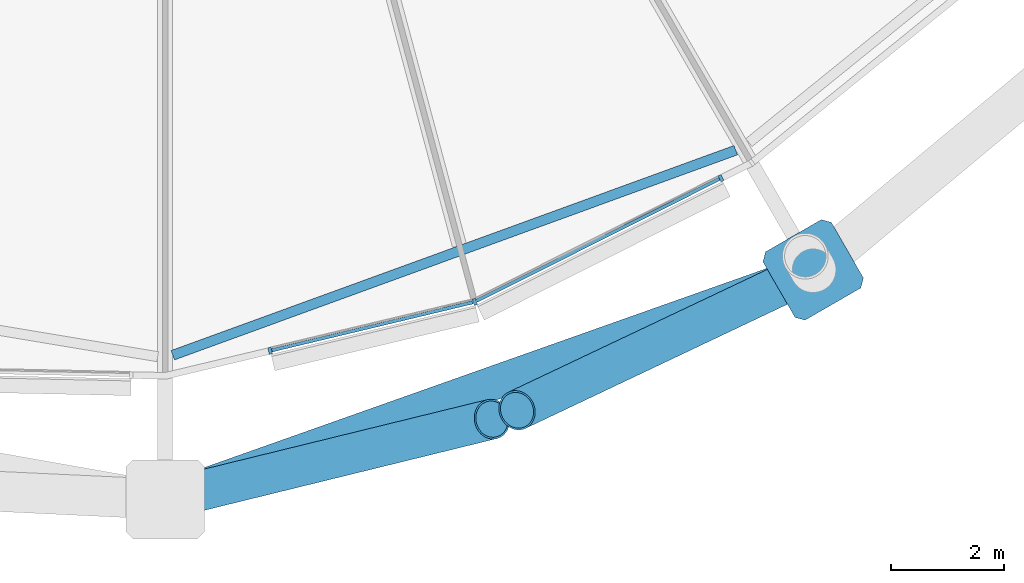
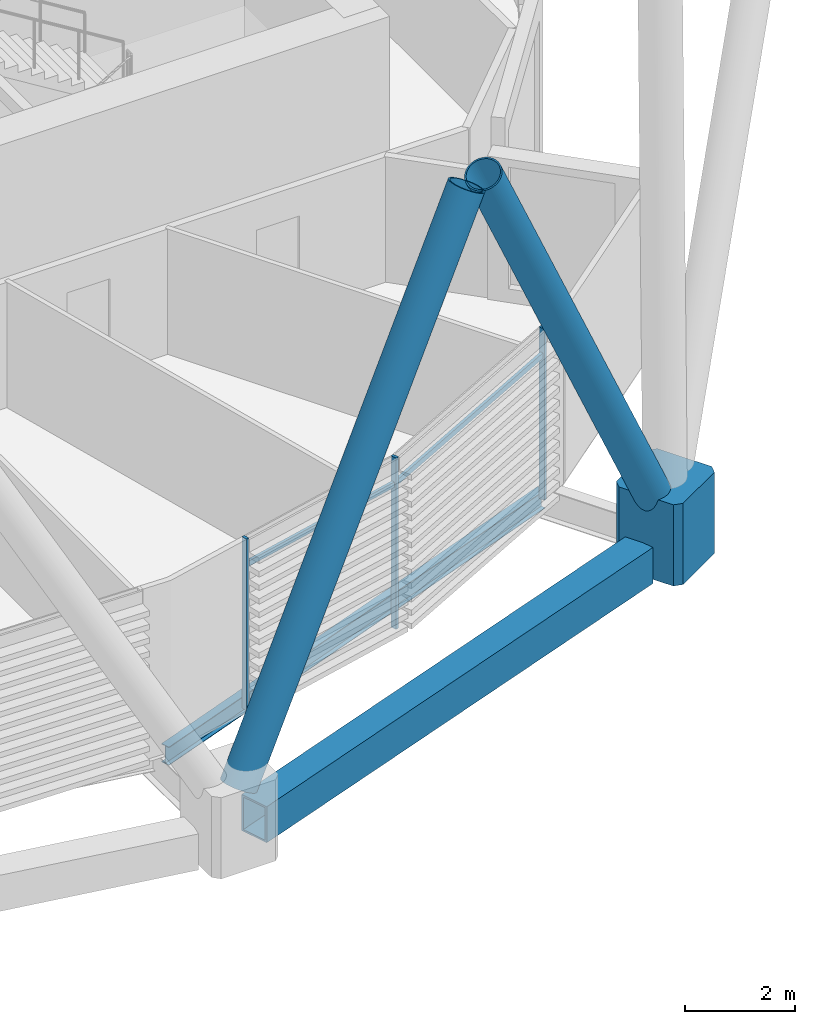
# One storey, part 17 of 39: 8 members, 2 beams, 1 element without a shape of its own.
"""IFC4 building model written with IfcOpenShell, lengths in metres."""

from ifc_helpers import new_model, si_unit, direction, frame, origin, origin_2d, place, context, subcontext, project, spatial, polyline, rectangle, hollow_rectangle, hollow_circle, i_section, outline, extrude, material, material_profile, profile_set, type_object, element, aggregate, save


model = new_model("IFC4")

# Units and contexts
model_context = context("Model", 3, precision=1e-05, world=origin(), true_north=direction((0.0, 1.0)))
body_context = subcontext(model_context, "Body", "Model", "MODEL_VIEW")
ifc_project = project(units=[si_unit("LENGTHUNIT", "METRE"), si_unit("AREAUNIT", "SQUARE_METRE"), si_unit("VOLUMEUNIT", "CUBIC_METRE"), si_unit("PLANEANGLEUNIT", "RADIAN"), si_unit("MASSUNIT", "GRAM", prefix="KILO")], contexts=[model_context])

# Site, building, storey
site_placement = place(None, origin())
site = spatial("IfcSite", under=ifc_project, at=site_placement, CompositionType="ELEMENT")
building_placement = place(site_placement, origin())
building = spatial("IfcBuilding", under=site, at=building_placement, Name="Rimbun Link Towers", CompositionType="ELEMENT")
storey_placement = place(building_placement, frame((0.0, 0.0, 115.800048828125)))
storey = spatial("IfcBuildingStorey", under=building, at=storey_placement, Name="L28", CompositionType="ELEMENT", Elevation=115.800048828125)

# Curtain wall, members
ifc_material_1 = material(Name="Aluminium 6063-T6 and low-iron glass", Category="aluminium")
curtain_wall_type = type_object("IfcCurtainWallType", Name="CW1-Z2 unitised vision wall (zone 2)", PredefinedType="NOTDEFINED", material=ifc_material_1)
curtain_wall_placement = place(storey_placement, origin())
curtain_wall = element("IfcCurtainWall", 1, at=curtain_wall_placement, inside=storey, type_object=curtain_wall_type, Name="CW1 L28 T2", PredefinedType="NOTDEFINED")
ifc_material_2 = material(Name="Aluminium 6063-T6", Category="aluminium")
ifc_material_profile_1 = material_profile(ifc_material_2, rectangle(XDim=0.1201171875, YDim=0.06005859375, at=origin_2d()), Name="MULLION 60X120")
ifc_profile_set_1 = profile_set([ifc_material_profile_1], Name="Aluminium 6063-T6")
member_type_1 = type_object("IfcMemberType", Name="CW1 mullion 60X120", PredefinedType="MULLION", material=ifc_profile_set_1)
member_1_placement = place(storey_placement, frame((37.24267578125, -20.47802734375, 0.0), z_axis=(0.0, 0.0, 1.0), x_axis=(0.342974549868, -0.939344696127, 0.0)))
member_1 = element("IfcMember", 2, at=member_1_placement, type_object=member_type_1, Name="CW1 mullion", PredefinedType="MULLION", context=body_context, shape_type="SweptSolid", body=[
    extrude(rectangle(XDim=0.1201171875, YDim=0.06005859375, at=origin_2d()), origin(), (0.0, 0.0, 1.0), 3.800048828125),
])
member_2_placement = place(storey_placement, frame((33.61181640625, -21.3466796875, 0.0), z_axis=(0.0, 0.0, 1.0), x_axis=(0.232603182737, -0.972571724543, 0.0)))
member_2 = element("IfcMember", 3, at=member_2_placement, type_object=member_type_1, Name="CW1 mullion", PredefinedType="MULLION", context=body_context, shape_type="SweptSolid", body=[
    extrude(rectangle(XDim=0.1201171875, YDim=0.06005859375, at=origin_2d()), origin(), (0.0, 0.0, 1.0), 3.800048828125),
])
member_3_placement = place(storey_placement, frame((41.61083984375, -18.28466796875, 0.0), z_axis=(0.0, 0.0, 1.0), x_axis=(0.448789200311, -0.893637652343, 0.0)))
member_3 = element("IfcMember", 4, at=member_3_placement, type_object=member_type_1, Name="CW1 mullion", PredefinedType="MULLION", context=body_context, shape_type="SweptSolid", body=[
    extrude(rectangle(XDim=0.1201171875, YDim=0.06005859375, at=origin_2d()), origin(), (0.0, 0.0, 1.0), 3.800048828125),
])
ifc_material_3 = material(Name="Aluminium 6063-T6", Category="aluminium")
ifc_material_profile_2 = material_profile(ifc_material_3, rectangle(XDim=0.06005859375, YDim=0.1201171875, at=origin_2d()), Name="TRANSOM 60X120")
ifc_profile_set_2 = profile_set([ifc_material_profile_2], Name="Aluminium 6063-T6")
member_type_2 = type_object("IfcMemberType", Name="CW1 transom 60X120", PredefinedType="USERDEFINED", material=ifc_profile_set_2)
member_4_placement = place(storey_placement, frame((37.206298828125, -20.485107421875, 3.199951171875), z_axis=(-0.972571359766, -0.232604707954, 0.0), x_axis=(0.232604707954, -0.972571359766, 0.0)))
member_4 = element("IfcMember", 5, at=member_4_placement, type_object=member_type_2, Name="CW1 transom", ObjectType="TRANSOM", PredefinedType="USERDEFINED", context=body_context, shape_type="SweptSolid", body=[
    extrude(rectangle(XDim=0.06005859375, YDim=0.1201171875, at=origin_2d()), origin(), (0.0, 0.0, 1.0), 3.666259765625),
])
member_5_placement = place(storey_placement, frame((41.583251953125, -18.29638671875, 3.199951171875), z_axis=(-0.893645973419, -0.44877263084, 0.0), x_axis=(0.44877263084, -0.893645973419, 0.0)))
member_5 = element("IfcMember", 6, at=member_5_placement, type_object=member_type_2, Name="CW1 transom", ObjectType="TRANSOM", PredefinedType="USERDEFINED", context=body_context, shape_type="SweptSolid", body=[
    extrude(rectangle(XDim=0.06005859375, YDim=0.1201171875, at=origin_2d()), origin(), (0.0, 0.0, 1.0), 4.821044921875),
])
aggregate(curtain_wall, [member_1, member_2, member_3, member_4, member_5])

# Members
ifc_material_4 = material(Name="Steel S460NH", Category="steel")
ifc_material_profile_3 = material_profile(ifc_material_4, hollow_circle(Radius=0.355712890625, WallThickness=0.031982421875, at=origin_2d()), Name="Diagrid diagonal CHS 711x32")
ifc_profile_set_3 = profile_set([ifc_material_profile_3], Name="Steel S460NH")
member_type_3 = type_object("IfcMemberType", Name="Diagrid diagonal CHS 711x32", PredefinedType="BRACE", material=ifc_profile_set_3)
member_6_placement = place(storey_placement, frame((31.982177734375, -23.92333984375, 0.43896484375), z_axis=(0.464481646876, 0.113929845033, 0.878223656096), x_axis=(-0.238222286103, 0.971210658098, 0.0)))
element("IfcMember", 7, at=member_6_placement, inside=storey, type_object=member_type_3, Name="Diagrid diagonal T2 L28-L31 15b", PredefinedType="BRACE", context=body_context, shape_type="SweptSolid", body=[
    extrude(hollow_circle(Radius=0.355712890625, WallThickness=0.031982421875, at=origin_2d()), origin(), (0.0, 0.0, 1.0), 11.98095703125),
])
member_7_placement = place(storey_placement, frame((43.033447265625, -20.0107421875, 0.441650390625), z_axis=(-0.423546072576, -0.200760920428, 0.883348049884), x_axis=(0.428319535675, -0.903627343189, 0.0)))
element("IfcMember", 8, at=member_7_placement, inside=storey, type_object=member_type_3, Name="Diagrid diagonal T2 L28-L31 17a", PredefinedType="BRACE", context=body_context, shape_type="SweptSolid", body=[
    extrude(hollow_circle(Radius=0.355712890625, WallThickness=0.031982421875, at=origin_2d()), origin(), (0.0, 0.0, 1.0), 11.9052734375),
])
ifc_material_5 = material(Name="Cast steel G20Mn5+QT, Rp0.2 300 MPa", Category="steel")
ifc_material_profile_4 = material_profile(ifc_material_5, outline(polyline([(0.699951171875, -0.570068359375), (0.699951171875, 0.570068359375), (0.570068359375, 0.699951171875), (-0.570068359375, 0.699951171875), (-0.699951171875, 0.570068359375), (-0.699951171875, -0.570068359375), (-0.570068359375, -0.699951171875), (0.570068359375, -0.699951171875), (0.699951171875, -0.570068359375)])), Name="NODE 1400x1400")
ifc_profile_set_4 = profile_set([ifc_material_profile_4], Name="Cast steel G20Mn5+QT, Rp0.2 300 MPa")
member_type_4 = type_object("IfcMemberType", Name="Diagrid node cast 1400", PredefinedType="USERDEFINED", material=ifc_profile_set_4)
member_8_placement = place(storey_placement, frame((43.2451171875, -19.910400390625, -0.900146484375), z_axis=(0.0, 0.0, 1.0), x_axis=(0.5, -0.866025403784, 0.0)))
element("IfcMember", 9, at=member_8_placement, inside=storey, type_object=member_type_4, Name="Diagrid node L28 17", ObjectType="Diagrid node", PredefinedType="USERDEFINED", context=body_context, shape_type="SweptSolid", body=[
    extrude(outline(polyline([(0.699951171875, -0.570068359375), (0.699951171875, 0.570068359375), (0.570068359375, 0.699951171875), (-0.570068359375, 0.699951171875), (-0.699951171875, 0.570068359375), (-0.699951171875, -0.570068359375), (-0.570068359375, -0.699951171875), (0.570068359375, -0.699951171875), (0.699951171875, -0.570068359375)])), origin(), (0.0, 0.0, 1.0), 1.800048828125),
])

# Beams
ifc_material_6 = material(Name="Steel S355J2", Category="steel")
ifc_material_profile_5 = material_profile(ifc_material_6, hollow_rectangle(XDim=0.60009765625, YDim=0.800048828125, WallThickness=0.0400390625, at=origin_2d()), Name="Exoskeleton ring girder BOX 600x800x40")
ifc_profile_set_5 = profile_set([ifc_material_profile_5], Name="Steel S355J2")
beam_type_1 = type_object("IfcBeamType", Name="Exoskeleton ring girder BOX 600x800x40", PredefinedType="BEAM", material=ifc_profile_set_5)
beam_1_placement = place(storey_placement, frame((32.409912109375, -23.74658203125, -0.56005859375), z_axis=(0.942655395648, 0.333767591381, 0.0), x_axis=(-0.333767591381, 0.942655395648, 0.0)))
element("IfcBeam", 10, at=beam_1_placement, inside=storey, type_object=beam_type_1, Name="Exoskeleton ring girder L28 07", PredefinedType="BEAM", context=body_context, shape_type="SweptSolid", body=[
    extrude(hollow_rectangle(XDim=0.60009765625, YDim=0.800048828125, WallThickness=0.0400390625, at=origin_2d()), origin(), (0.0, 0.0, 1.0), 10.794189453125),
])
ifc_material_7 = material(Name="Steel S355J2", Category="steel")
ifc_material_profile_6 = material_profile(ifc_material_7, i_section(OverallWidth=0.177978515625, OverallDepth=0.406494140625, WebThickness=0.0078125, FlangeThickness=0.0126953125, at=origin_2d()), Name="UB 406x178x60")
ifc_profile_set_6 = profile_set([ifc_material_profile_6], Name="Steel S355J2")
beam_type_2 = type_object("IfcBeamType", Name="UB 406x178x60", PredefinedType="BEAM", material=ifc_profile_set_6)
beam_2_placement = place(storey_placement, frame((31.88427734375, -21.42431640625, -0.36328125), z_axis=(0.939620951706, 0.342216988351, 0.0), x_axis=(-0.342216988351, 0.939620951706, 0.0)))
element("IfcBeam", 11, at=beam_2_placement, inside=storey, type_object=beam_type_2, Name="Edge beam T2 L28 15-17", PredefinedType="BEAM", context=body_context, shape_type="SweptSolid", body=[
    extrude(i_section(OverallWidth=0.177978515625, OverallDepth=0.406494140625, WebThickness=0.0078125, FlangeThickness=0.0126953125, at=origin_2d()), origin(), (0.0, 0.0, 1.0), 10.629150390625),
])

save(model, "model.ifc")
